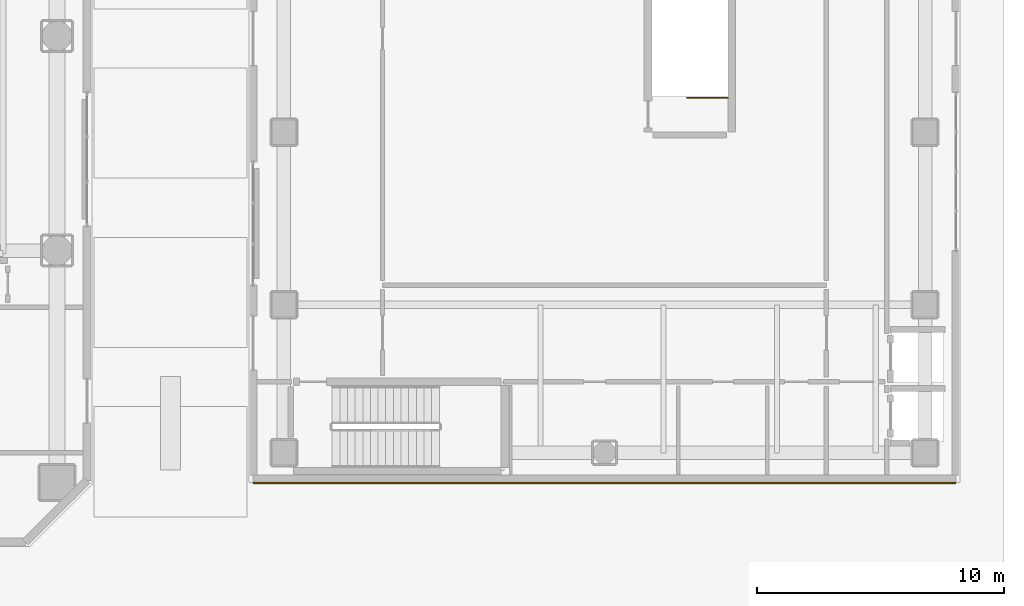
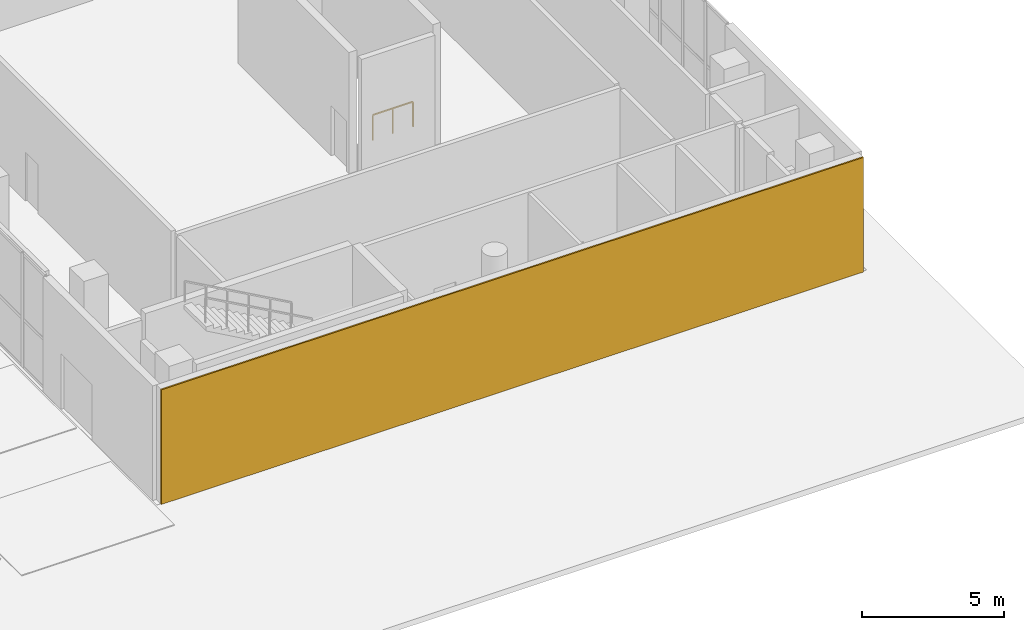
# One storey, part 29 of 30: 1 covering, 1 railing.
"""IFC4 building model written with IfcOpenShell, lengths in metres."""

from ifc_helpers import new_model, si_unit, direction, frame, frame_2d, origin, origin_2d, place, context, subcontext, project, spatial, rectangle, extrude, material, layer, layer_set, type_object, element, save


model = new_model("IFC4")

# Units and contexts
model_context = context("Model", 3, precision=1e-05, world=origin(), true_north=direction((0.0, 1.0)))
body_context = subcontext(model_context, "Body", "Model", "MODEL_VIEW")
ifc_project = project(units=[si_unit("LENGTHUNIT", "METRE"), si_unit("AREAUNIT", "SQUARE_METRE"), si_unit("VOLUMEUNIT", "CUBIC_METRE"), si_unit("PLANEANGLEUNIT", "RADIAN"), si_unit("MASSUNIT", "GRAM", prefix="KILO")], contexts=[model_context])

# Site, building, storey
site_placement = place(None, origin())
site = spatial("IfcSite", under=ifc_project, at=site_placement, CompositionType="ELEMENT")
building_placement = place(site_placement, origin())
building = spatial("IfcBuilding", under=site, at=building_placement, Name="Solanera Arch Residences", CompositionType="ELEMENT")
storey_placement = place(building_placement, origin())
storey = spatial("IfcBuildingStorey", under=building, at=storey_placement, Name="L00", CompositionType="ELEMENT", Elevation=0.0)

# Covering
ifc_material_1 = material(Name="Philippine Adobe Travertine Cladding", Category="masonry")
ifc_layer = layer(ifc_material_1, 0.06005859375)
ifc_layer_set = layer_set([ifc_layer], Name="Philippine Adobe Travertine Cladding")
covering_type = type_object("IfcCoveringType", Name="Precast Pier Stone Cladding CLD-60", PredefinedType="CLADDING", material=ifc_layer_set)
covering_placement = place(storey_placement, frame((83.050048828125, 12.570068359375, 0.0), z_axis=(0.0, 0.0, 1.0), x_axis=(-1.0, 0.0, 0.0)))
element("IfcCovering", 1, at=covering_placement, inside=storey, type_object=covering_type, Name="L00 Sports Hall Travertine Cladding S", PredefinedType="CLADDING", context=body_context, shape_type="SweptSolid", body=[
    extrude(rectangle(XDim=28.5, YDim=0.06005859375, at=frame_2d((14.25, 0.0))), origin(), (0.0, 0.0, 1.0), 4.919921875),
])

# Railing
ifc_material_2 = material(Name="Steel S355 (ASTM A992 / A572 Grade 50)", Category="steel")
railing_type = type_object("IfcRailingType", Name="Stair Guardrail GR-1100", PredefinedType="GUARDRAIL", material=ifc_material_2)
railing_placement = place(storey_placement, frame((73.800048828125, 28.18994140625, -0.014892578125)))
element("IfcRailing", 2, at=railing_placement, inside=storey, type_object=railing_type, Name="L00 ST-B1 top well guard 1", PredefinedType="GUARDRAIL", context=body_context, shape_type="SweptSolid", body=[
    extrude(rectangle(XDim=0.048095703125, YDim=0.048095703125, at=origin_2d()), frame((0.0, 0.0, 1.076171875), z_axis=(-1.0, 0.0, 0.0), x_axis=(0.0, -1.0, 0.0)), (0.0, 0.0, 1.0), 1.64013671875),
    extrude(rectangle(XDim=0.0419921875, YDim=0.0419921875, at=origin_2d()), origin(), (0.0, 0.0, 1.0), 1.052001953125),
    extrude(rectangle(XDim=0.0419921875, YDim=0.0419921875, at=origin_2d()), frame((-0.820068359375, 0.0, 0.0)), (0.0, 0.0, 1.0), 1.052001953125),
    extrude(rectangle(XDim=0.0419921875, YDim=0.0419921875, at=origin_2d()), frame((-1.64013671875, 0.0, 0.0)), (0.0, 0.0, 1.0), 1.052001953125),
])

save(model, "model.ifc")
